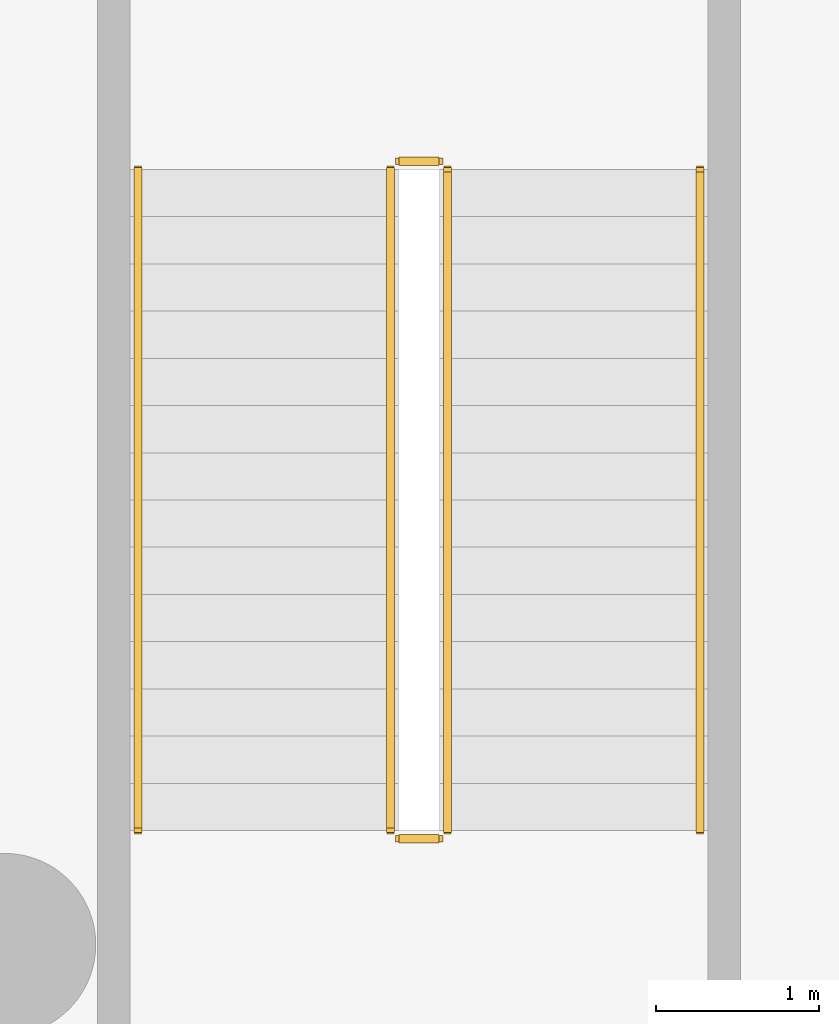
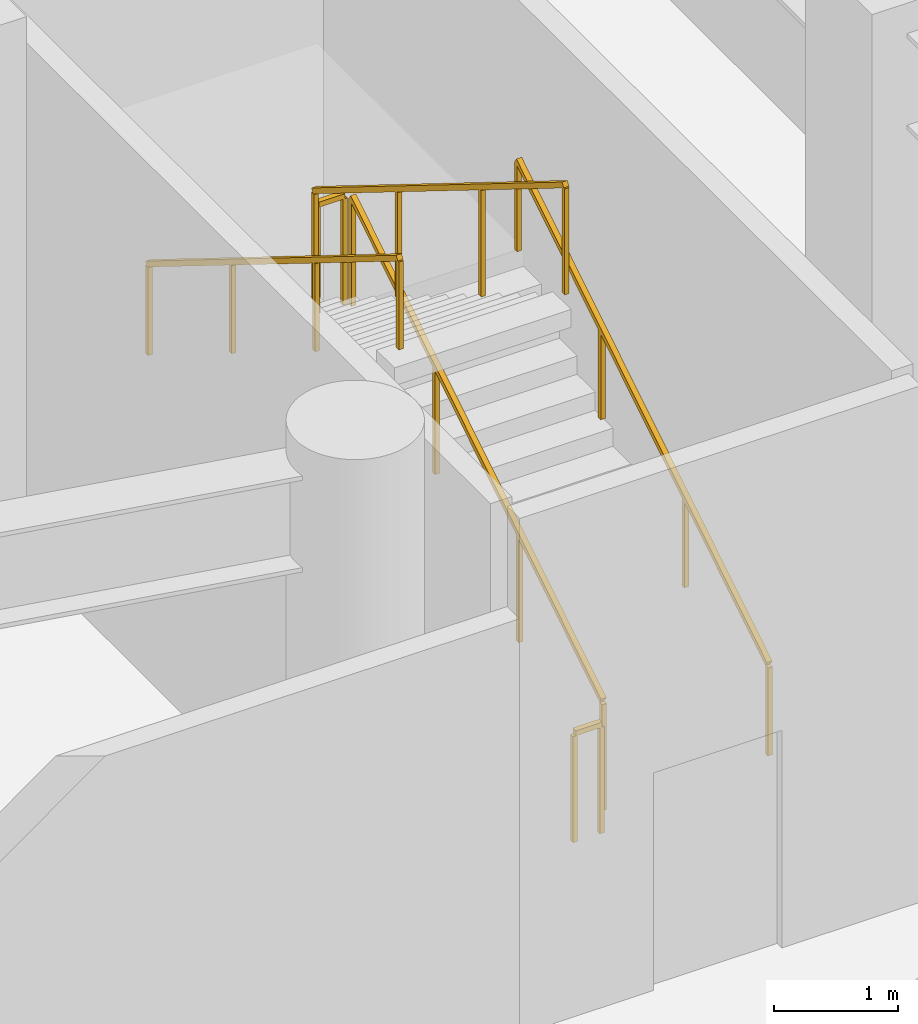
# One storey, part 8 of 9: 6 railings.
"""IFC4 building model written with IfcOpenShell, lengths in metres."""

from ifc_helpers import new_model, si_unit, derived_unit, direction, frame, origin, origin_2d, place, context, subcontext, project, spatial, rectangle, extrude, material, type_object, element, save


model = new_model("IFC4")

# Units and contexts
model_context = context("Model", 3, precision=1e-05, world=origin(), true_north=direction((0.0, 1.0)))
body_context = subcontext(model_context, "Body", "Model", "MODEL_VIEW")
ifc_project = project(units=[si_unit("LENGTHUNIT", "METRE"), si_unit("AREAUNIT", "SQUARE_METRE"), si_unit("VOLUMEUNIT", "CUBIC_METRE"), si_unit("PLANEANGLEUNIT", "RADIAN"), si_unit("MASSUNIT", "GRAM", prefix="KILO"), derived_unit("THERMALTRANSMITTANCEUNIT", [(si_unit("POWERUNIT", "WATT"), 1), (si_unit("LENGTHUNIT", "METRE"), -2), (si_unit("THERMODYNAMICTEMPERATUREUNIT", "KELVIN"), -1)])], contexts=[model_context])

# Site, building, storey
site_placement = place(None, origin())
site = spatial("IfcSite", under=ifc_project, at=site_placement, CompositionType="ELEMENT")
building_placement = place(site_placement, origin())
building = spatial("IfcBuilding", under=site, at=building_placement, Name="Koralith Skygarden Medical Center", CompositionType="ELEMENT")
storey_placement = place(building_placement, origin())
storey = spatial("IfcBuildingStorey", under=building, at=storey_placement, Name="L00", CompositionType="ELEMENT", Elevation=0.0)

# Railings
ifc_material = material(Name="Steel ASTM A500 Grade C", Category="steel")
railing_type_1 = type_object("IfcRailingType", Name="Stair Flight Tubular Handrail 920", PredefinedType="HANDRAIL", material=ifc_material)
railing_1_placement = place(storey_placement, frame((68.64990234375, 23.199951171875, 0.179931640625)))
element("IfcRailing", 1, at=railing_1_placement, inside=storey, type_object=railing_type_1, Name="L00 ST5 stair handrail 1", PredefinedType="HANDRAIL", context=body_context, shape_type="SweptSolid", body=[
    extrude(rectangle(XDim=0.050048828125, YDim=0.050048828125, at=origin_2d()), frame((0.0, 0.001708984375, 0.89599609375), z_axis=(0.0, 0.849641744969, 0.527360318194), x_axis=(-1.0, 0.0, 0.0)), (0.0, 0.0, 1.0), 4.774658203125),
    extrude(rectangle(XDim=0.0419921875, YDim=0.0419921875, at=origin_2d()), origin(), (0.0, 0.0, 1.0), 0.867919921875),
    extrude(rectangle(XDim=0.0419921875, YDim=0.0419921875, at=origin_2d()), frame((0.0, 1.353271484375, 0.840087890625)), (0.0, 0.0, 1.0), 0.867919921875),
    extrude(rectangle(XDim=0.0419921875, YDim=0.0419921875, at=origin_2d()), frame((0.0, 2.706787109375, 1.679931640625)), (0.0, 0.0, 1.0), 0.867919921875),
    extrude(rectangle(XDim=0.0419921875, YDim=0.0419921875, at=origin_2d()), frame((0.0, 4.06005859375, 2.52001953125)), (0.0, 0.0, 1.0), 0.867919921875),
])
railing_2_placement = place(storey_placement, frame((65.199951171875, 27.260009765625, 2.8798828125)))
element("IfcRailing", 2, at=railing_2_placement, inside=storey, type_object=railing_type_1, Name="L00 ST5 stair handrail 2", PredefinedType="HANDRAIL", context=body_context, shape_type="SweptSolid", body=[
    extrude(rectangle(XDim=0.050048828125, YDim=0.050048828125, at=origin_2d()), frame((0.0, -0.001708984375, 0.89599609375), z_axis=(0.0, -0.849641744969, 0.527360318194), x_axis=(1.0, 0.0, 0.0)), (0.0, 0.0, 1.0), 4.774658203125),
    extrude(rectangle(XDim=0.0419921875, YDim=0.0419921875, at=origin_2d()), origin(), (0.0, 0.0, 1.0), 0.867919921875),
    extrude(rectangle(XDim=0.0419921875, YDim=0.0419921875, at=origin_2d()), frame((0.0, -1.353271484375, 0.840087890625)), (0.0, 0.0, 1.0), 0.867919921875),
    extrude(rectangle(XDim=0.0419921875, YDim=0.0419921875, at=origin_2d()), frame((0.0, -2.706787109375, 1.679931640625)), (0.0, 0.0, 1.0), 0.867919921875),
    extrude(rectangle(XDim=0.0419921875, YDim=0.0419921875, at=origin_2d()), frame((0.0, -4.06005859375, 2.52001953125)), (0.0, 0.0, 1.0), 0.867919921875),
])
railing_type_2 = type_object("IfcRailingType", Name="Stair Well Safety Guardrail 1100", PredefinedType="GUARDRAIL", material=ifc_material)
railing_3_placement = place(storey_placement, frame((67.10009765625, 23.199951171875, 0.179931640625)))
element("IfcRailing", 3, at=railing_3_placement, inside=storey, type_object=railing_type_2, Name="L00 ST5 stair guard 1", PredefinedType="GUARDRAIL", context=body_context, shape_type="SweptSolid", body=[
    extrude(rectangle(XDim=0.050048828125, YDim=0.050048828125, at=origin_2d()), frame((0.0, 0.001708984375, 1.076171875), z_axis=(0.0, 0.849641744969, 0.527360318194), x_axis=(-1.0, 0.0, 0.0)), (0.0, 0.0, 1.0), 4.774658203125),
    extrude(rectangle(XDim=0.0419921875, YDim=0.0419921875, at=origin_2d()), origin(), (0.0, 0.0, 1.0), 1.048095703125),
    extrude(rectangle(XDim=0.0419921875, YDim=0.0419921875, at=origin_2d()), frame((0.0, 1.353271484375, 0.840087890625)), (0.0, 0.0, 1.0), 1.048095703125),
    extrude(rectangle(XDim=0.0419921875, YDim=0.0419921875, at=origin_2d()), frame((0.0, 2.706787109375, 1.679931640625)), (0.0, 0.0, 1.0), 1.048095703125),
    extrude(rectangle(XDim=0.0419921875, YDim=0.0419921875, at=origin_2d()), frame((0.0, 4.06005859375, 2.52001953125)), (0.0, 0.0, 1.0), 1.048095703125),
])
railing_4_placement = place(storey_placement, frame((67.050048828125, 27.31005859375, 2.699951171875)))
element("IfcRailing", 4, at=railing_4_placement, inside=storey, type_object=railing_type_2, Name="L00 ST5 stair guard 2", PredefinedType="GUARDRAIL", context=body_context, shape_type="SweptSolid", body=[
    extrude(rectangle(XDim=0.050048828125, YDim=0.050048828125, at=origin_2d()), frame((-0.001953125, 0.0, 1.0751953125), z_axis=(-1.0, 0.0, 0.0), x_axis=(0.0, -1.0, 0.0)), (0.0, 0.0, 1.0), 0.24609375),
    extrude(rectangle(XDim=0.0419921875, YDim=0.0419921875, at=origin_2d()), origin(), (0.0, 0.0, 1.0), 1.048095703125),
    extrude(rectangle(XDim=0.0419921875, YDim=0.0419921875, at=origin_2d()), frame((-0.25, 0.0, 0.0)), (0.0, 0.0, 1.0), 1.048095703125),
])
railing_5_placement = place(storey_placement, frame((66.75, 27.260009765625, 2.8798828125)))
element("IfcRailing", 5, at=railing_5_placement, inside=storey, type_object=railing_type_2, Name="L00 ST5 stair guard 3", PredefinedType="GUARDRAIL", context=body_context, shape_type="SweptSolid", body=[
    extrude(rectangle(XDim=0.050048828125, YDim=0.050048828125, at=origin_2d()), frame((0.0, -0.001708984375, 1.076171875), z_axis=(0.0, -0.849641744969, 0.527360318194), x_axis=(1.0, 0.0, 0.0)), (0.0, 0.0, 1.0), 4.774658203125),
    extrude(rectangle(XDim=0.0419921875, YDim=0.0419921875, at=origin_2d()), origin(), (0.0, 0.0, 1.0), 1.048095703125),
    extrude(rectangle(XDim=0.0419921875, YDim=0.0419921875, at=origin_2d()), frame((0.0, -1.353271484375, 0.840087890625)), (0.0, 0.0, 1.0), 1.048095703125),
    extrude(rectangle(XDim=0.0419921875, YDim=0.0419921875, at=origin_2d()), frame((0.0, -2.706787109375, 1.679931640625)), (0.0, 0.0, 1.0), 1.048095703125),
    extrude(rectangle(XDim=0.0419921875, YDim=0.0419921875, at=origin_2d()), frame((0.0, -4.06005859375, 2.52001953125)), (0.0, 0.0, 1.0), 1.048095703125),
])
railing_6_placement = place(storey_placement, frame((67.050048828125, 23.14990234375, 0.0)))
element("IfcRailing", 6, at=railing_6_placement, inside=storey, type_object=railing_type_2, Name="L00 ST5 stair guard 4", PredefinedType="GUARDRAIL", context=body_context, shape_type="SweptSolid", body=[
    extrude(rectangle(XDim=0.050048828125, YDim=0.050048828125, at=origin_2d()), frame((-0.001953125, 0.0, 1.0751953125), z_axis=(-1.0, 0.0, 0.0), x_axis=(0.0, -1.0, 0.0)), (0.0, 0.0, 1.0), 0.24609375),
    extrude(rectangle(XDim=0.0419921875, YDim=0.0419921875, at=origin_2d()), origin(), (0.0, 0.0, 1.0), 1.048095703125),
    extrude(rectangle(XDim=0.0419921875, YDim=0.0419921875, at=origin_2d()), frame((-0.25, 0.0, 0.0)), (0.0, 0.0, 1.0), 1.048095703125),
])

save(model, "model.ifc")
